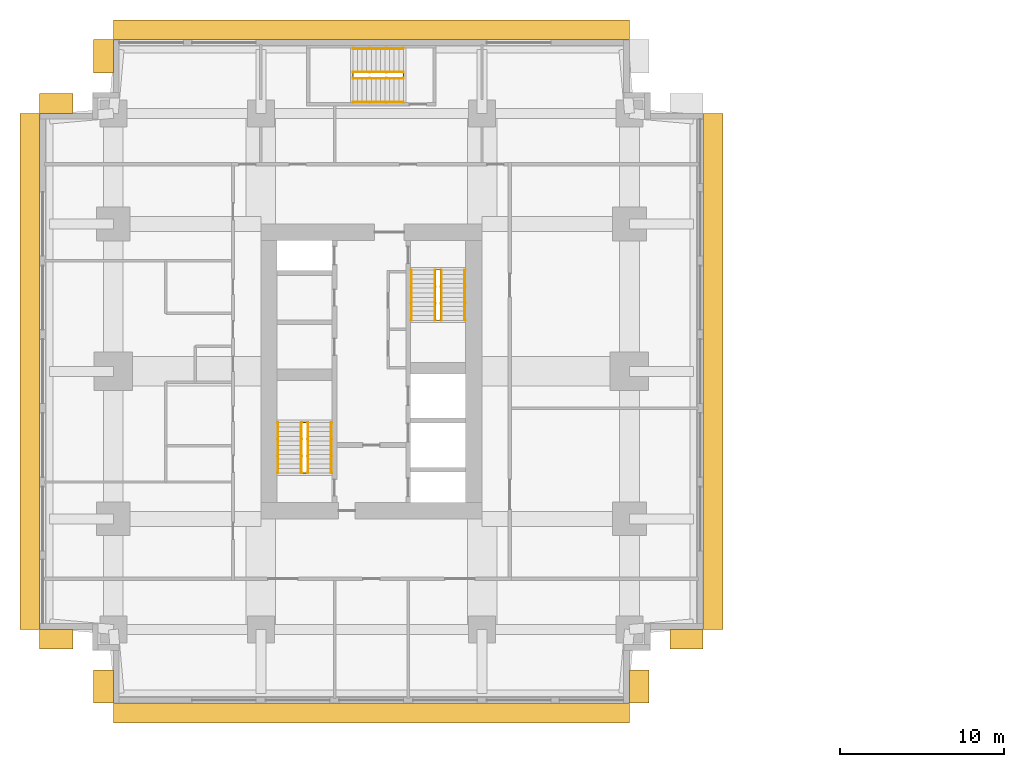
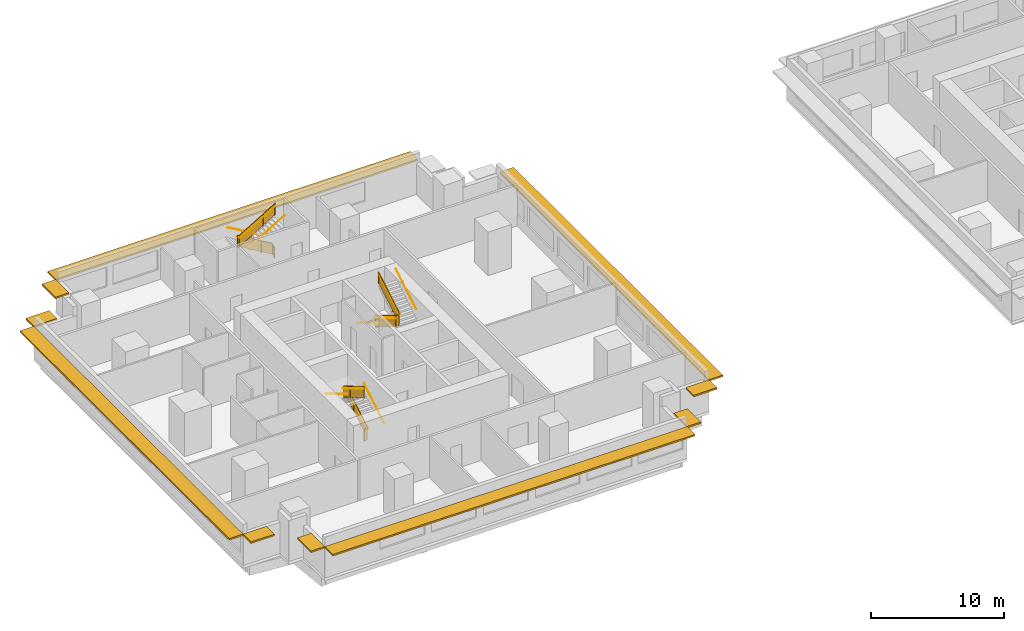
# One storey, part 10 of 11: 15 railings, 10 shading devices.
"""IFC4 building model written with IfcOpenShell, lengths in metres."""

import ifcopenshell
import ifcopenshell.guid

model = None  # the IFC model being written
_history = None  # IfcOwnerHistory: only IFC2X3 demands one
_inside = {}  # id of a spatial element -> (the spatial element, [elements in it])
_under = {}  # id of a project, library or spatial element -> (it, [spatial elements below it])
_declared = {}  # id of a project -> (the project, [libraries it declares])
_typed = {}  # id of a type object -> (the type object, [elements of that type])
_made_of = {}  # id of a material, layer set ... -> (it, [elements and type objects made of it])


def new_model(schema):
    """Start an empty IFC model of exactly this schema.

    Asked for "IFC4X3", IfcOpenShell would pick the latest addendum, in which some entities
    have other attributes; the version numbers below select the first issue.
    IFC2X3 requires an IfcOwnerHistory on every rooted entity: one is made here for all.
    """
    global model, _history
    if schema == "IFC4X3":
        model = ifcopenshell.file(schema_version=(4, 3, 0, 0))
    else:
        model = ifcopenshell.file(schema=schema)
    _inside.clear()
    _under.clear()
    _declared.clear()
    _typed.clear()
    _made_of.clear()
    _history = None
    if model.schema == "IFC2X3":
        org = make("IfcOrganization", Name="unknown")
        user = make(
            "IfcPersonAndOrganization",
            ThePerson=make("IfcPerson", FamilyName="unknown"),
            TheOrganization=org,
        )
        app = make(
            "IfcApplication",
            ApplicationDeveloper=org,
            Version="unknown",
            ApplicationFullName="unknown",
            ApplicationIdentifier="unknown",
        )
        _history = make(
            "IfcOwnerHistory",
            OwningUser=user,
            OwningApplication=app,
            ChangeAction="ADDED",
            CreationDate=0,
        )
    return model


def make(cls, **values):
    """One entity of the class cls with the attributes given. An attribute that is None is left unset."""
    return model.create_entity(
        cls, **{name: value for name, value in values.items() if value is not None}
    )


def rooted(cls, **values):
    """An entity with a GlobalId (a new one), such as an element, a storey or a relation."""
    return make(cls, GlobalId=ifcopenshell.guid.new(), OwnerHistory=_history, **values)


def si_unit(unit_type, name, prefix=None):
    """IfcSIUnit, for example si_unit("LENGTHUNIT", "METRE", prefix="MILLI")."""
    return make("IfcSIUnit", UnitType=unit_type, Prefix=prefix, Name=name)


def assignment(units):
    """IfcUnitAssignment: the units of a project."""
    return None if units is None else make("IfcUnitAssignment", Units=units)


def point(xyz):
    """IfcCartesianPoint."""
    return None if xyz is None else make("IfcCartesianPoint", Coordinates=xyz)


def direction(xyz):
    """IfcDirection."""
    return None if xyz is None else make("IfcDirection", DirectionRatios=xyz)


def frame(location, z_axis=None, x_axis=None):
    """IfcAxis2Placement3D, a coordinate frame: its origin and axes. An axis left out is left unset."""
    return make(
        "IfcAxis2Placement3D",
        Location=point(location),
        Axis=direction(z_axis),
        RefDirection=direction(x_axis),
    )


def frame_2d(location, x_axis=None):
    """IfcAxis2Placement2D, a coordinate frame in the plane: its origin and x axis."""
    return make(
        "IfcAxis2Placement2D", Location=point(location), RefDirection=direction(x_axis)
    )


def origin():
    """The frame at (0, 0, 0) with its axes left unset."""
    return frame((0.0, 0.0, 0.0))


def origin_2d():
    """The frame at (0, 0) in the plane with its x axis left unset."""
    return frame_2d((0.0, 0.0))


def place(relative_to, where):
    """IfcLocalPlacement: puts the frame where relative to a parent placement (None: the world)."""
    return make(
        "IfcLocalPlacement", PlacementRelTo=relative_to, RelativePlacement=where
    )


def context(
    kind, dimensions, precision=None, world=None, true_north=None, identifier=None
):
    """IfcGeometricRepresentationContext, for example the 3D "Model" context."""
    return make(
        "IfcGeometricRepresentationContext",
        ContextIdentifier=identifier,
        ContextType=kind,
        CoordinateSpaceDimension=dimensions,
        Precision=precision,
        WorldCoordinateSystem=world,
        TrueNorth=true_north,
    )


def subcontext(parent, identifier, kind, view, scale=None):
    """IfcGeometricRepresentationSubContext, for example "Body" below "Model"."""
    return make(
        "IfcGeometricRepresentationSubContext",
        ContextIdentifier=identifier,
        ContextType=kind,
        ParentContext=parent,
        TargetScale=scale,
        TargetView=view,
    )


def project(units=None, contexts=None):
    """IfcProject with its units and contexts."""
    return rooted(
        "IfcProject",
        Name="project",
        RepresentationContexts=contexts,
        UnitsInContext=assignment(units),
    )


def spatial(cls, under=None, at=None, **own):
    """A site, building, storey or space (cls), placed at a placement, below another one or the project."""
    s = rooted(cls, ObjectPlacement=at, **own)
    if under is not None:
        _under.setdefault(under.id(), (under, []))[1].append(s)
    return s


def polyline(points):
    """IfcPolyline through the points."""
    return make("IfcPolyline", Points=[point(p) for p in points])


def profile(cls, at=None, kind="AREA", **sizes):
    """A parametric profile (cls). Its sizes go by their IFC names, for example OverallWidth=200.0."""
    return make(cls, ProfileType=kind, Position=at, **sizes)


def rectangle(**sizes):
    """IfcRectangleProfileDef."""
    return profile("IfcRectangleProfileDef", **sizes)


def circle(**sizes):
    """IfcCircleProfileDef."""
    return profile("IfcCircleProfileDef", **sizes)


def outline(outer, holes=None, kind="AREA"):
    """IfcArbitraryClosedProfileDef: a profile drawn as a closed curve; with holes, ...WithVoids."""
    if holes is None:
        return make("IfcArbitraryClosedProfileDef", ProfileType=kind, OuterCurve=outer)
    return make(
        "IfcArbitraryProfileDefWithVoids",
        ProfileType=kind,
        OuterCurve=outer,
        InnerCurves=holes,
    )


def extrude(swept, where, along, depth):
    """IfcExtrudedAreaSolid: the profile swept, set in the frame where, extruded along a direction by depth."""
    return make(
        "IfcExtrudedAreaSolid",
        SweptArea=swept,
        Position=where,
        ExtrudedDirection=direction(along),
        Depth=depth,
    )


def shape(context_of_items, identifier, shape_type, items):
    """IfcShapeRepresentation: the items that make up one representation, for example the "Body"."""
    return make(
        "IfcShapeRepresentation",
        ContextOfItems=context_of_items,
        RepresentationIdentifier=identifier,
        RepresentationType=shape_type,
        Items=items,
    )


def material(Name=None, Category=None):
    """IfcMaterial."""
    return make("IfcMaterial", Name=Name, Category=Category)


def layer(
    of_material, thickness, ventilated=None, Name=None, Category=None, Priority=None
):
    """IfcMaterialLayer: one layer of a wall or slab, of a material (None: an air gap)."""
    return make(
        "IfcMaterialLayer",
        Material=of_material,
        LayerThickness=thickness,
        IsVentilated=ventilated,
        Name=Name,
        Category=Category,
        Priority=Priority,
    )


def layer_set(layers, Name=None):
    """IfcMaterialLayerSet."""
    return make("IfcMaterialLayerSet", MaterialLayers=layers, LayerSetName=Name)


def made_of(thing, what):
    """Note that an element or type object is made of a material, layer set ...; save() writes the relation."""
    if what is not None:
        _made_of.setdefault(what.id(), (what, []))[1].append(thing)
    return thing


def type_object(cls, material=None, **own):
    """A type object (cls), such as IfcWallType, which elements share."""
    return made_of(rooted(cls, **own), material)


def element(
    cls,
    number,
    at=None,
    inside=None,
    cuts=None,
    type_object=None,
    material=None,
    context=None,
    identifier="Body",
    shape_type=None,
    held_by="IfcProductDefinitionShape",
    body=None,
    shapes=None,
    **own,
):
    """One element of the class cls, such as IfcWall. Its Tag is "e" and its number.

    at: its placement. inside: the storey or other place that contains it. cuts: it is an
    opening in that element (IfcRelVoidsElement). A single representation is given by context,
    identifier, shape_type and body (its items); several are given by shapes. held_by: the class
    of the entity that holds the representations. save() writes the other relations.
    """
    e = rooted(cls, Tag="e%d" % number, ObjectPlacement=at, **own)
    if body is not None:
        shapes = [shape(context, identifier, shape_type, body)]
    if shapes is not None:
        e.Representation = make(held_by, Representations=shapes)
    if inside is not None:
        _inside.setdefault(inside.id(), (inside, []))[1].append(e)
    if cuts is not None:
        rooted(
            "IfcRelVoidsElement", RelatingBuildingElement=cuts, RelatedOpeningElement=e
        )
    if type_object is not None:
        _typed.setdefault(type_object.id(), (type_object, []))[1].append(e)
    return made_of(e, material)


def aggregate(whole, parts):
    """IfcRelAggregates: a whole, such as a stair, and the parts it consists of."""
    return rooted("IfcRelAggregates", RelatingObject=whole, RelatedObjects=parts)


def save(model, path):
    """Write the relations noted so far, then the file.

    IfcRelAggregates (storeys below a building ...), IfcRelContainedInSpatialStructure (elements
    in a storey), IfcRelDefinesByType, IfcRelAssociatesMaterial and IfcRelDeclares: one each for
    every whole, place, type object, material and project.
    """
    for whole, parts in _under.values():
        aggregate(whole, parts)
    for where, things in _inside.values():
        rooted(
            "IfcRelContainedInSpatialStructure",
            RelatedElements=things,
            RelatingStructure=where,
        )
    for kind, things in _typed.values():
        rooted("IfcRelDefinesByType", RelatedObjects=things, RelatingType=kind)
    for what, things in _made_of.values():
        rooted("IfcRelAssociatesMaterial", RelatedObjects=things, RelatingMaterial=what)
    for by, libraries in _declared.values():
        rooted("IfcRelDeclares", RelatingContext=by, RelatedDefinitions=libraries)
    model.write(path)


model = new_model("IFC4")

# Units and contexts
model_context = context("Model", 3, precision=1e-05, world=origin(), true_north=direction((0.0, 1.0)))
body_context = subcontext(model_context, "Body", "Model", "MODEL_VIEW")
ifc_project = project(units=[si_unit("LENGTHUNIT", "METRE"), si_unit("AREAUNIT", "SQUARE_METRE"), si_unit("VOLUMEUNIT", "CUBIC_METRE"), si_unit("PLANEANGLEUNIT", "RADIAN"), si_unit("MASSUNIT", "GRAM", prefix="KILO")], contexts=[model_context])

# Site, building, storey
site_placement = place(None, origin())
site = spatial("IfcSite", under=ifc_project, at=site_placement, CompositionType="ELEMENT")
building_placement = place(site_placement, origin())
building = spatial("IfcBuilding", under=site, at=building_placement, Name="Namib Vertical Campus", CompositionType="ELEMENT")
storey_placement = place(building_placement, frame((0.0, 0.0, 197.0)))
storey = spatial("IfcBuildingStorey", under=building, at=storey_placement, Name="L46", CompositionType="ELEMENT", Elevation=197.0)

# Railings
ifc_material_1 = material(Name="Steel handrail", Category="steel")
railing_type_1 = type_object("IfcRailingType", Name="Handrail 900", PredefinedType="HANDRAIL", material=ifc_material_1)
railing_1_placement = place(storey_placement, frame((17.800048828125, 14.050048828125, 0.166748046875)))
element("IfcRailing", 1, at=railing_1_placement, inside=storey, type_object=railing_type_1, Name="Handrail HR1 A-S1 L46 1", PredefinedType="HANDRAIL", context=body_context, shape_type="SweptSolid", body=[
    extrude(circle(Radius=0.02392578125, at=origin_2d()), frame((0.0, 0.0, 0.8759765625), z_axis=(0.0, 0.859290745958, 0.51148745235), x_axis=(-1.0, 0.0, 0.0)), (0.0, 0.0, 1.0), 3.584228515625),
    extrude(circle(Radius=0.008056640625, at=origin_2d()), frame((0.0, 0.0, 0.8759765625), z_axis=(1.0, 0.0, 0.0), x_axis=(0.0, 0.0, 1.0)), (0.0, 0.0, 1.0), 0.050048828125),
    extrude(circle(Radius=0.008056640625, at=origin_2d()), frame((0.0, 1.026611328125, 1.48681640625), z_axis=(1.0, 0.0, 0.0), x_axis=(0.0, 0.0, 1.0)), (0.0, 0.0, 1.0), 0.050048828125),
    extrude(circle(Radius=0.008056640625, at=origin_2d()), frame((0.0, 2.05322265625, 2.09814453125), z_axis=(1.0, 0.0, 0.0), x_axis=(0.0, 0.0, 1.0)), (0.0, 0.0, 1.0), 0.050048828125),
    extrude(circle(Radius=0.008056640625, at=origin_2d()), frame((0.0, 3.079833984375, 2.708984375), z_axis=(1.0, 0.0, 0.0), x_axis=(0.0, 0.0, 1.0)), (0.0, 0.0, 1.0), 0.050048828125),
])
railing_2_placement = place(storey_placement, frame((14.550048828125, 17.1298828125, 2.166748046875)))
element("IfcRailing", 2, at=railing_2_placement, inside=storey, type_object=railing_type_1, Name="Handrail HR1 A-S1 L46 2", PredefinedType="HANDRAIL", context=body_context, shape_type="SweptSolid", body=[
    extrude(circle(Radius=0.02392578125, at=origin_2d()), frame((0.0, 0.0, 0.8759765625), z_axis=(0.0, -0.859290745958, 0.51148745235), x_axis=(1.0, 0.0, 0.0)), (0.0, 0.0, 1.0), 3.584228515625),
    extrude(circle(Radius=0.008056640625, at=origin_2d()), frame((0.0, 0.0, 0.8759765625), z_axis=(-1.0, 0.0, 0.0), x_axis=(0.0, 0.0, 1.0)), (0.0, 0.0, 1.0), 0.050048828125),
    extrude(circle(Radius=0.008056640625, at=origin_2d()), frame((0.0, -1.026611328125, 1.48681640625), z_axis=(-1.0, 0.0, 0.0), x_axis=(0.0, 0.0, 1.0)), (0.0, 0.0, 1.0), 0.050048828125),
    extrude(circle(Radius=0.008056640625, at=origin_2d()), frame((0.0, -2.05322265625, 2.09814453125), z_axis=(-1.0, 0.0, 0.0), x_axis=(0.0, 0.0, 1.0)), (0.0, 0.0, 1.0), 0.050048828125),
    extrude(circle(Radius=0.008056640625, at=origin_2d()), frame((0.0, -3.079833984375, 2.708984375), z_axis=(-1.0, 0.0, 0.0), x_axis=(0.0, 0.0, 1.0)), (0.0, 0.0, 1.0), 0.050048828125),
])
railing_3_placement = place(storey_placement, frame((16.375, 14.050048828125, 0.166748046875)))
element("IfcRailing", 3, at=railing_3_placement, inside=storey, type_object=railing_type_1, Name="Handrail HR1 A-S1 L46 1 at the well", PredefinedType="HANDRAIL", context=body_context, shape_type="SweptSolid", body=[
    extrude(circle(Radius=0.02392578125, at=origin_2d()), frame((0.0, 0.0, 0.8759765625), z_axis=(0.0, 0.859290745958, 0.51148745235), x_axis=(-1.0, 0.0, 0.0)), (0.0, 0.0, 1.0), 3.584228515625),
    extrude(circle(Radius=0.008056640625, at=origin_2d()), frame((0.0, 0.0, 0.8759765625), z_axis=(-1.0, 0.0, 0.0), x_axis=(0.0, 0.0, 1.0)), (0.0, 0.0, 1.0), 0.0400390625),
    extrude(circle(Radius=0.008056640625, at=origin_2d()), frame((0.0, 1.026611328125, 1.48681640625), z_axis=(-1.0, 0.0, 0.0), x_axis=(0.0, 0.0, 1.0)), (0.0, 0.0, 1.0), 0.0400390625),
    extrude(circle(Radius=0.008056640625, at=origin_2d()), frame((0.0, 2.05322265625, 2.09814453125), z_axis=(-1.0, 0.0, 0.0), x_axis=(0.0, 0.0, 1.0)), (0.0, 0.0, 1.0), 0.0400390625),
    extrude(circle(Radius=0.008056640625, at=origin_2d()), frame((0.0, 3.079833984375, 2.708984375), z_axis=(-1.0, 0.0, 0.0), x_axis=(0.0, 0.0, 1.0)), (0.0, 0.0, 1.0), 0.0400390625),
])
railing_4_placement = place(storey_placement, frame((15.97509765625, 17.1298828125, 2.166748046875)))
element("IfcRailing", 4, at=railing_4_placement, inside=storey, type_object=railing_type_1, Name="Handrail HR1 A-S1 L46 2 at the well", PredefinedType="HANDRAIL", context=body_context, shape_type="SweptSolid", body=[
    extrude(circle(Radius=0.02392578125, at=origin_2d()), frame((0.0, 0.0, 0.8759765625), z_axis=(0.0, -0.859290745958, 0.51148745235), x_axis=(1.0, 0.0, 0.0)), (0.0, 0.0, 1.0), 3.584228515625),
    extrude(circle(Radius=0.008056640625, at=origin_2d()), frame((0.0, 0.0, 0.8759765625), z_axis=(1.0, 0.0, 0.0), x_axis=(0.0, 0.0, 1.0)), (0.0, 0.0, 1.0), 0.0400390625),
    extrude(circle(Radius=0.008056640625, at=origin_2d()), frame((0.0, -1.026611328125, 1.48681640625), z_axis=(1.0, 0.0, 0.0), x_axis=(0.0, 0.0, 1.0)), (0.0, 0.0, 1.0), 0.0400390625),
    extrude(circle(Radius=0.008056640625, at=origin_2d()), frame((0.0, -2.05322265625, 2.09814453125), z_axis=(1.0, 0.0, 0.0), x_axis=(0.0, 0.0, 1.0)), (0.0, 0.0, 1.0), 0.0400390625),
    extrude(circle(Radius=0.008056640625, at=origin_2d()), frame((0.0, -3.079833984375, 2.708984375), z_axis=(1.0, 0.0, 0.0), x_axis=(0.0, 0.0, 1.0)), (0.0, 0.0, 1.0), 0.0400390625),
])
railing_5_placement = place(storey_placement, frame((22.699951171875, 26.449951171875, 0.166748046875)))
element("IfcRailing", 5, at=railing_5_placement, inside=storey, type_object=railing_type_1, Name="Handrail HR1 A-S2 L46 1", PredefinedType="HANDRAIL", context=body_context, shape_type="SweptSolid", body=[
    extrude(circle(Radius=0.02392578125, at=origin_2d()), frame((0.0, 0.0, 0.8759765625), z_axis=(0.0, -0.859290745958, 0.51148745235), x_axis=(1.0, 0.0, 0.0)), (0.0, 0.0, 1.0), 3.584228515625),
    extrude(circle(Radius=0.008056640625, at=origin_2d()), frame((0.0, 0.0, 0.8759765625), z_axis=(-1.0, 0.0, 0.0), x_axis=(0.0, 0.0, 1.0)), (0.0, 0.0, 1.0), 0.050048828125),
    extrude(circle(Radius=0.008056640625, at=origin_2d()), frame((0.0, -1.026611328125, 1.48681640625), z_axis=(-1.0, 0.0, 0.0), x_axis=(0.0, 0.0, 1.0)), (0.0, 0.0, 1.0), 0.050048828125),
    extrude(circle(Radius=0.008056640625, at=origin_2d()), frame((0.0, -2.05322265625, 2.09814453125), z_axis=(-1.0, 0.0, 0.0), x_axis=(0.0, 0.0, 1.0)), (0.0, 0.0, 1.0), 0.050048828125),
    extrude(circle(Radius=0.008056640625, at=origin_2d()), frame((0.0, -3.079833984375, 2.708984375), z_axis=(-1.0, 0.0, 0.0), x_axis=(0.0, 0.0, 1.0)), (0.0, 0.0, 1.0), 0.050048828125),
])
railing_6_placement = place(storey_placement, frame((25.949951171875, 23.3701171875, 2.166748046875)))
element("IfcRailing", 6, at=railing_6_placement, inside=storey, type_object=railing_type_1, Name="Handrail HR1 A-S2 L46 2", PredefinedType="HANDRAIL", context=body_context, shape_type="SweptSolid", body=[
    extrude(circle(Radius=0.02392578125, at=origin_2d()), frame((0.0, 0.0, 0.8759765625), z_axis=(0.0, 0.859290745958, 0.51148745235), x_axis=(-1.0, 0.0, 0.0)), (0.0, 0.0, 1.0), 3.584228515625),
    extrude(circle(Radius=0.008056640625, at=origin_2d()), frame((0.0, 0.0, 0.8759765625), z_axis=(1.0, 0.0, 0.0), x_axis=(0.0, 0.0, 1.0)), (0.0, 0.0, 1.0), 0.050048828125),
    extrude(circle(Radius=0.008056640625, at=origin_2d()), frame((0.0, 1.026611328125, 1.48681640625), z_axis=(1.0, 0.0, 0.0), x_axis=(0.0, 0.0, 1.0)), (0.0, 0.0, 1.0), 0.050048828125),
    extrude(circle(Radius=0.008056640625, at=origin_2d()), frame((0.0, 2.05322265625, 2.09814453125), z_axis=(1.0, 0.0, 0.0), x_axis=(0.0, 0.0, 1.0)), (0.0, 0.0, 1.0), 0.050048828125),
    extrude(circle(Radius=0.008056640625, at=origin_2d()), frame((0.0, 3.079833984375, 2.708984375), z_axis=(1.0, 0.0, 0.0), x_axis=(0.0, 0.0, 1.0)), (0.0, 0.0, 1.0), 0.050048828125),
])
railing_7_placement = place(storey_placement, frame((24.125, 26.449951171875, 0.166748046875)))
element("IfcRailing", 7, at=railing_7_placement, inside=storey, type_object=railing_type_1, Name="Handrail HR1 A-S2 L46 1 at the well", PredefinedType="HANDRAIL", context=body_context, shape_type="SweptSolid", body=[
    extrude(circle(Radius=0.02392578125, at=origin_2d()), frame((0.0, 0.0, 0.8759765625), z_axis=(0.0, -0.859290745958, 0.51148745235), x_axis=(1.0, 0.0, 0.0)), (0.0, 0.0, 1.0), 3.584228515625),
    extrude(circle(Radius=0.008056640625, at=origin_2d()), frame((0.0, 0.0, 0.8759765625), z_axis=(1.0, 0.0, 0.0), x_axis=(0.0, 0.0, 1.0)), (0.0, 0.0, 1.0), 0.0400390625),
    extrude(circle(Radius=0.008056640625, at=origin_2d()), frame((0.0, -1.026611328125, 1.48681640625), z_axis=(1.0, 0.0, 0.0), x_axis=(0.0, 0.0, 1.0)), (0.0, 0.0, 1.0), 0.0400390625),
    extrude(circle(Radius=0.008056640625, at=origin_2d()), frame((0.0, -2.05322265625, 2.09814453125), z_axis=(1.0, 0.0, 0.0), x_axis=(0.0, 0.0, 1.0)), (0.0, 0.0, 1.0), 0.0400390625),
    extrude(circle(Radius=0.008056640625, at=origin_2d()), frame((0.0, -3.079833984375, 2.708984375), z_axis=(1.0, 0.0, 0.0), x_axis=(0.0, 0.0, 1.0)), (0.0, 0.0, 1.0), 0.0400390625),
])
railing_8_placement = place(storey_placement, frame((24.52490234375, 23.3701171875, 2.166748046875)))
element("IfcRailing", 8, at=railing_8_placement, inside=storey, type_object=railing_type_1, Name="Handrail HR1 A-S2 L46 2 at the well", PredefinedType="HANDRAIL", context=body_context, shape_type="SweptSolid", body=[
    extrude(circle(Radius=0.02392578125, at=origin_2d()), frame((0.0, 0.0, 0.8759765625), z_axis=(0.0, 0.859290745958, 0.51148745235), x_axis=(-1.0, 0.0, 0.0)), (0.0, 0.0, 1.0), 3.584228515625),
    extrude(circle(Radius=0.008056640625, at=origin_2d()), frame((0.0, 0.0, 0.8759765625), z_axis=(-1.0, 0.0, 0.0), x_axis=(0.0, 0.0, 1.0)), (0.0, 0.0, 1.0), 0.0400390625),
    extrude(circle(Radius=0.008056640625, at=origin_2d()), frame((0.0, 1.026611328125, 1.48681640625), z_axis=(-1.0, 0.0, 0.0), x_axis=(0.0, 0.0, 1.0)), (0.0, 0.0, 1.0), 0.0400390625),
    extrude(circle(Radius=0.008056640625, at=origin_2d()), frame((0.0, 2.05322265625, 2.09814453125), z_axis=(-1.0, 0.0, 0.0), x_axis=(0.0, 0.0, 1.0)), (0.0, 0.0, 1.0), 0.0400390625),
    extrude(circle(Radius=0.008056640625, at=origin_2d()), frame((0.0, 3.079833984375, 2.708984375), z_axis=(-1.0, 0.0, 0.0), x_axis=(0.0, 0.0, 1.0)), (0.0, 0.0, 1.0), 0.0400390625),
])
railing_9_placement = place(storey_placement, frame((22.199951171875, 39.949951171875, 0.166748046875)))
element("IfcRailing", 9, at=railing_9_placement, inside=storey, type_object=railing_type_1, Name="Handrail HR1 A-S3 L46 1", PredefinedType="HANDRAIL", context=body_context, shape_type="SweptSolid", body=[
    extrude(circle(Radius=0.02392578125, at=origin_2d()), frame((0.0, 0.0, 0.8759765625), z_axis=(-0.859290745958, 0.0, 0.51148745235), x_axis=(0.0, -1.0, 0.0)), (0.0, 0.0, 1.0), 3.584228515625),
    extrude(circle(Radius=0.008056640625, at=origin_2d()), frame((0.0, 0.0, 0.8759765625), z_axis=(0.0, 1.0, 0.0), x_axis=(0.0, 0.0, 1.0)), (0.0, 0.0, 1.0), 0.050048828125),
    extrude(circle(Radius=0.008056640625, at=origin_2d()), frame((-1.026611328125, 0.0, 1.48681640625), z_axis=(0.0, 1.0, 0.0), x_axis=(0.0, 0.0, 1.0)), (0.0, 0.0, 1.0), 0.050048828125),
    extrude(circle(Radius=0.008056640625, at=origin_2d()), frame((-2.05322265625, 0.0, 2.09814453125), z_axis=(0.0, 1.0, 0.0), x_axis=(0.0, 0.0, 1.0)), (0.0, 0.0, 1.0), 0.050048828125),
    extrude(circle(Radius=0.008056640625, at=origin_2d()), frame((-3.079833984375, 0.0, 2.708984375), z_axis=(0.0, 1.0, 0.0), x_axis=(0.0, 0.0, 1.0)), (0.0, 0.0, 1.0), 0.050048828125),
])
railing_10_placement = place(storey_placement, frame((19.1201171875, 36.699951171875, 2.166748046875)))
element("IfcRailing", 10, at=railing_10_placement, inside=storey, type_object=railing_type_1, Name="Handrail HR1 A-S3 L46 2", PredefinedType="HANDRAIL", context=body_context, shape_type="SweptSolid", body=[
    extrude(circle(Radius=0.02392578125, at=origin_2d()), frame((0.0, 0.0, 0.8759765625), z_axis=(0.859290745958, 0.0, 0.51148745235), x_axis=(0.0, 1.0, 0.0)), (0.0, 0.0, 1.0), 3.584228515625),
    extrude(circle(Radius=0.008056640625, at=origin_2d()), frame((0.0, 0.0, 0.8759765625), z_axis=(0.0, -1.0, 0.0), x_axis=(0.0, 0.0, 1.0)), (0.0, 0.0, 1.0), 0.050048828125),
    extrude(circle(Radius=0.008056640625, at=origin_2d()), frame((1.026611328125, 0.0, 1.48681640625), z_axis=(0.0, -1.0, 0.0), x_axis=(0.0, 0.0, 1.0)), (0.0, 0.0, 1.0), 0.050048828125),
    extrude(circle(Radius=0.008056640625, at=origin_2d()), frame((2.05322265625, 0.0, 2.09814453125), z_axis=(0.0, -1.0, 0.0), x_axis=(0.0, 0.0, 1.0)), (0.0, 0.0, 1.0), 0.050048828125),
    extrude(circle(Radius=0.008056640625, at=origin_2d()), frame((3.079833984375, 0.0, 2.708984375), z_axis=(0.0, -1.0, 0.0), x_axis=(0.0, 0.0, 1.0)), (0.0, 0.0, 1.0), 0.050048828125),
])
railing_11_placement = place(storey_placement, frame((22.199951171875, 38.52490234375, 0.166748046875)))
element("IfcRailing", 11, at=railing_11_placement, inside=storey, type_object=railing_type_1, Name="Handrail HR1 A-S3 L46 1 at the well", PredefinedType="HANDRAIL", context=body_context, shape_type="SweptSolid", body=[
    extrude(circle(Radius=0.02392578125, at=origin_2d()), frame((0.0, 0.0, 0.8759765625), z_axis=(-0.859290745958, 0.0, 0.51148745235), x_axis=(0.0, -1.0, 0.0)), (0.0, 0.0, 1.0), 3.584228515625),
    extrude(circle(Radius=0.008056640625, at=origin_2d()), frame((0.0, 0.0, 0.8759765625), z_axis=(0.0, -1.0, 0.0), x_axis=(0.0, 0.0, 1.0)), (0.0, 0.0, 1.0), 0.0400390625),
    extrude(circle(Radius=0.008056640625, at=origin_2d()), frame((-1.026611328125, 0.0, 1.48681640625), z_axis=(0.0, -1.0, 0.0), x_axis=(0.0, 0.0, 1.0)), (0.0, 0.0, 1.0), 0.0400390625),
    extrude(circle(Radius=0.008056640625, at=origin_2d()), frame((-2.05322265625, 0.0, 2.09814453125), z_axis=(0.0, -1.0, 0.0), x_axis=(0.0, 0.0, 1.0)), (0.0, 0.0, 1.0), 0.0400390625),
    extrude(circle(Radius=0.008056640625, at=origin_2d()), frame((-3.079833984375, 0.0, 2.708984375), z_axis=(0.0, -1.0, 0.0), x_axis=(0.0, 0.0, 1.0)), (0.0, 0.0, 1.0), 0.0400390625),
])
railing_12_placement = place(storey_placement, frame((19.1201171875, 38.125, 2.166748046875)))
element("IfcRailing", 12, at=railing_12_placement, inside=storey, type_object=railing_type_1, Name="Handrail HR1 A-S3 L46 2 at the well", PredefinedType="HANDRAIL", context=body_context, shape_type="SweptSolid", body=[
    extrude(circle(Radius=0.02392578125, at=origin_2d()), frame((0.0, 0.0, 0.8759765625), z_axis=(0.859290745958, 0.0, 0.51148745235), x_axis=(0.0, 1.0, 0.0)), (0.0, 0.0, 1.0), 3.584228515625),
    extrude(circle(Radius=0.008056640625, at=origin_2d()), frame((0.0, 0.0, 0.8759765625), z_axis=(0.0, 1.0, 0.0), x_axis=(0.0, 0.0, 1.0)), (0.0, 0.0, 1.0), 0.0400390625),
    extrude(circle(Radius=0.008056640625, at=origin_2d()), frame((1.026611328125, 0.0, 1.48681640625), z_axis=(0.0, 1.0, 0.0), x_axis=(0.0, 0.0, 1.0)), (0.0, 0.0, 1.0), 0.0400390625),
    extrude(circle(Radius=0.008056640625, at=origin_2d()), frame((2.05322265625, 0.0, 2.09814453125), z_axis=(0.0, 1.0, 0.0), x_axis=(0.0, 0.0, 1.0)), (0.0, 0.0, 1.0), 0.0400390625),
    extrude(circle(Radius=0.008056640625, at=origin_2d()), frame((3.079833984375, 0.0, 2.708984375), z_axis=(0.0, 1.0, 0.0), x_axis=(0.0, 0.0, 1.0)), (0.0, 0.0, 1.0), 0.0400390625),
])
ifc_material_2 = material(Name="Steel balustrade", Category="steel")
railing_type_2 = type_object("IfcRailingType", Name="Stair guard 1100", PredefinedType="GUARDRAIL", material=ifc_material_2)
railing_13_placement = place(storey_placement, frame((16.02490234375, 14.050048828125, 0.0)))
element("IfcRailing", 13, at=railing_13_placement, inside=storey, type_object=railing_type_2, Name="Stair guard GR1 A-S1 L46", PredefinedType="GUARDRAIL", context=body_context, shape_type="SweptSolid", body=[
    extrude(circle(Radius=0.02392578125, at=origin_2d()), frame((0.0, 0.0, 1.076171875), z_axis=(1.0, 0.0, 0.0), x_axis=(0.0, 1.0, 0.0)), (0.0, 0.0, 1.0), 0.300048828125),
    extrude(outline(polyline([(0.02099609375, 0.050048828125), (0.279052734375, 0.050048828125), (0.279052734375, 1.052001953125), (0.02099609375, 1.052001953125), (0.02099609375, 0.050048828125)])), frame((0.0, 0.010009765625, 0.0), z_axis=(0.0, -1.0, 0.0), x_axis=(1.0, 0.0, 0.0)), (0.0, 0.0, 1.0), 0.02001953125),
    extrude(circle(Radius=0.02392578125, at=origin_2d()), frame((0.300048828125, 0.0, 1.076171875), z_axis=(0.0, 0.0, 1.0), x_axis=(1.0, 0.0, 0.0)), (0.0, 0.0, 1.0), 0.166748046875),
    extrude(circle(Radius=0.02392578125, at=origin_2d()), frame((0.300048828125, 0.0, 1.24267578125), z_axis=(0.0, 0.859290745958, 0.51148745235), x_axis=(-1.0, 0.0, 0.0)), (0.0, 0.0, 1.0), 3.584228515625),
    extrude(outline(polyline([(0.02099609375, 0.0625), (3.058837890625, 1.870849609375), (3.058837890625, 2.872802734375), (0.02099609375, 1.064453125), (0.02099609375, 0.0625)])), frame((0.2900390625, 0.0, 0.166748046875), z_axis=(1.0, 0.0, 0.0), x_axis=(0.0, 1.0, 0.0)), (0.0, 0.0, 1.0), 0.02001953125),
    extrude(circle(Radius=0.02392578125, at=origin_2d()), frame((0.300048828125, 3.079833984375, 3.076171875), z_axis=(-1.0, 0.0, 0.0), x_axis=(0.0, -1.0, 0.0)), (0.0, 0.0, 1.0), 0.300048828125),
    extrude(outline(polyline([(0.02099609375, 0.050048828125), (0.279052734375, 0.050048828125), (0.279052734375, 1.052001953125), (0.02099609375, 1.052001953125), (0.02099609375, 0.050048828125)])), frame((0.300048828125, 3.06982421875, 2.0), z_axis=(0.0, 1.0, 0.0), x_axis=(-1.0, 0.0, 0.0)), (0.0, 0.0, 1.0), 0.02001953125),
    extrude(circle(Radius=0.02392578125, at=origin_2d()), frame((0.0, 3.079833984375, 3.076171875), z_axis=(0.0, 0.0, 1.0), x_axis=(1.0, 0.0, 0.0)), (0.0, 0.0, 1.0), 0.166748046875),
    extrude(circle(Radius=0.02392578125, at=origin_2d()), frame((0.0, 3.079833984375, 3.24267578125), z_axis=(0.0, -0.859290745958, 0.51148745235), x_axis=(1.0, 0.0, 0.0)), (0.0, 0.0, 1.0), 3.584228515625),
    extrude(outline(polyline([(0.02099609375, 0.0625), (3.058837890625, 1.870849609375), (3.058837890625, 2.872802734375), (0.02099609375, 1.064453125), (0.02099609375, 0.0625)])), frame((0.010009765625, 3.079833984375, 2.166748046875), z_axis=(-1.0, 0.0, 0.0), x_axis=(0.0, -1.0, 0.0)), (0.0, 0.0, 1.0), 0.02001953125),
    extrude(circle(Radius=0.02392578125, at=origin_2d()), frame((0.0, 0.0, 5.076171875), z_axis=(0.0, -1.0, 0.0), x_axis=(1.0, 0.0, 0.0)), (0.0, 0.0, 1.0), 0.050048828125),
    extrude(outline(polyline([(0.02099609375, 0.050048828125), (0.029052734375, 0.050048828125), (0.029052734375, 1.052001953125), (0.02099609375, 1.052001953125), (0.02099609375, 0.050048828125)])), frame((0.010009765625, 0.0, 4.0), z_axis=(-1.0, 0.0, 0.0), x_axis=(0.0, -1.0, 0.0)), (0.0, 0.0, 1.0), 0.02001953125),
    extrude(circle(Radius=0.02099609375, at=origin_2d()), origin(), (0.0, 0.0, 1.0), 1.052001953125),
    extrude(circle(Radius=0.02099609375, at=origin_2d()), frame((0.300048828125, 0.0, 0.166748046875)), (0.0, 0.0, 1.0), 1.052001953125),
    extrude(circle(Radius=0.02099609375, at=origin_2d()), frame((0.300048828125, 1.026611328125, 0.666748046875)), (0.0, 0.0, 1.0), 1.1630859375),
    extrude(circle(Radius=0.02099609375, at=origin_2d()), frame((0.300048828125, 2.05322265625, 1.33349609375)), (0.0, 0.0, 1.0), 1.107421875),
    extrude(circle(Radius=0.02099609375, at=origin_2d()), frame((0.300048828125, 3.079833984375, 2.0)), (0.0, 0.0, 1.0), 1.052001953125),
    extrude(circle(Radius=0.02099609375, at=origin_2d()), frame((0.0, 3.079833984375, 2.166748046875)), (0.0, 0.0, 1.0), 1.052001953125),
    extrude(circle(Radius=0.02099609375, at=origin_2d()), frame((0.0, 2.05322265625, 2.666748046875)), (0.0, 0.0, 1.0), 1.1630859375),
    extrude(circle(Radius=0.02099609375, at=origin_2d()), frame((0.0, 1.026611328125, 3.33349609375)), (0.0, 0.0, 1.0), 1.107421875),
    extrude(circle(Radius=0.02099609375, at=origin_2d()), frame((0.0, 0.0, 4.0)), (0.0, 0.0, 1.0), 1.052001953125),
    extrude(circle(Radius=0.02099609375, at=origin_2d()), frame((0.0, -0.050048828125, 4.0)), (0.0, 0.0, 1.0), 1.052001953125),
])
railing_14_placement = place(storey_placement, frame((24.47509765625, 26.449951171875, 0.0)))
element("IfcRailing", 14, at=railing_14_placement, inside=storey, type_object=railing_type_2, Name="Stair guard GR1 A-S2 L46", PredefinedType="GUARDRAIL", context=body_context, shape_type="SweptSolid", body=[
    extrude(circle(Radius=0.02392578125, at=origin_2d()), frame((0.0, 0.0, 1.076171875), z_axis=(-1.0, 0.0, 0.0), x_axis=(0.0, -1.0, 0.0)), (0.0, 0.0, 1.0), 0.300048828125),
    extrude(outline(polyline([(0.02099609375, 0.050048828125), (0.279052734375, 0.050048828125), (0.279052734375, 1.052001953125), (0.02099609375, 1.052001953125), (0.02099609375, 0.050048828125)])), frame((0.0, -0.010009765625, 0.0), z_axis=(0.0, 1.0, 0.0), x_axis=(-1.0, 0.0, 0.0)), (0.0, 0.0, 1.0), 0.02001953125),
    extrude(circle(Radius=0.02392578125, at=origin_2d()), frame((-0.300048828125, 0.0, 1.076171875), z_axis=(0.0, 0.0, 1.0), x_axis=(1.0, 0.0, 0.0)), (0.0, 0.0, 1.0), 0.166748046875),
    extrude(circle(Radius=0.02392578125, at=origin_2d()), frame((-0.300048828125, 0.0, 1.24267578125), z_axis=(0.0, -0.859290745958, 0.51148745235), x_axis=(1.0, 0.0, 0.0)), (0.0, 0.0, 1.0), 3.584228515625),
    extrude(outline(polyline([(0.02099609375, 0.0625), (3.058837890625, 1.870849609375), (3.058837890625, 2.872802734375), (0.02099609375, 1.064453125), (0.02099609375, 0.0625)])), frame((-0.2900390625, 0.0, 0.166748046875), z_axis=(-1.0, 0.0, 0.0), x_axis=(0.0, -1.0, 0.0)), (0.0, 0.0, 1.0), 0.02001953125),
    extrude(circle(Radius=0.02392578125, at=origin_2d()), frame((-0.300048828125, -3.079833984375, 3.076171875), z_axis=(1.0, 0.0, 0.0), x_axis=(0.0, 1.0, 0.0)), (0.0, 0.0, 1.0), 0.300048828125),
    extrude(outline(polyline([(0.02099609375, 0.050048828125), (0.279052734375, 0.050048828125), (0.279052734375, 1.052001953125), (0.02099609375, 1.052001953125), (0.02099609375, 0.050048828125)])), frame((-0.300048828125, -3.06982421875, 2.0), z_axis=(0.0, -1.0, 0.0), x_axis=(1.0, 0.0, 0.0)), (0.0, 0.0, 1.0), 0.02001953125),
    extrude(circle(Radius=0.02392578125, at=origin_2d()), frame((0.0, -3.079833984375, 3.076171875), z_axis=(0.0, 0.0, 1.0), x_axis=(1.0, 0.0, 0.0)), (0.0, 0.0, 1.0), 0.166748046875),
    extrude(circle(Radius=0.02392578125, at=origin_2d()), frame((0.0, -3.079833984375, 3.24267578125), z_axis=(0.0, 0.859290745958, 0.51148745235), x_axis=(-1.0, 0.0, 0.0)), (0.0, 0.0, 1.0), 3.584228515625),
    extrude(outline(polyline([(0.02099609375, 0.0625), (3.058837890625, 1.870849609375), (3.058837890625, 2.872802734375), (0.02099609375, 1.064453125), (0.02099609375, 0.0625)])), frame((-0.010009765625, -3.079833984375, 2.166748046875), z_axis=(1.0, 0.0, 0.0), x_axis=(0.0, 1.0, 0.0)), (0.0, 0.0, 1.0), 0.02001953125),
    extrude(circle(Radius=0.02392578125, at=origin_2d()), frame((0.0, 0.0, 5.076171875), z_axis=(0.0, 1.0, 0.0), x_axis=(-1.0, 0.0, 0.0)), (0.0, 0.0, 1.0), 0.050048828125),
    extrude(outline(polyline([(0.02099609375, 0.050048828125), (0.029052734375, 0.050048828125), (0.029052734375, 1.052001953125), (0.02099609375, 1.052001953125), (0.02099609375, 0.050048828125)])), frame((-0.010009765625, 0.0, 4.0), z_axis=(1.0, 0.0, 0.0), x_axis=(0.0, 1.0, 0.0)), (0.0, 0.0, 1.0), 0.02001953125),
    extrude(circle(Radius=0.02099609375, at=origin_2d()), origin(), (0.0, 0.0, 1.0), 1.052001953125),
    extrude(circle(Radius=0.02099609375, at=origin_2d()), frame((-0.300048828125, 0.0, 0.166748046875)), (0.0, 0.0, 1.0), 1.052001953125),
    extrude(circle(Radius=0.02099609375, at=origin_2d()), frame((-0.300048828125, -1.026611328125, 0.666748046875)), (0.0, 0.0, 1.0), 1.1630859375),
    extrude(circle(Radius=0.02099609375, at=origin_2d()), frame((-0.300048828125, -2.05322265625, 1.33349609375)), (0.0, 0.0, 1.0), 1.107421875),
    extrude(circle(Radius=0.02099609375, at=origin_2d()), frame((-0.300048828125, -3.079833984375, 2.0)), (0.0, 0.0, 1.0), 1.052001953125),
    extrude(circle(Radius=0.02099609375, at=origin_2d()), frame((0.0, -3.079833984375, 2.166748046875)), (0.0, 0.0, 1.0), 1.052001953125),
    extrude(circle(Radius=0.02099609375, at=origin_2d()), frame((0.0, -2.05322265625, 2.666748046875)), (0.0, 0.0, 1.0), 1.1630859375),
    extrude(circle(Radius=0.02099609375, at=origin_2d()), frame((0.0, -1.026611328125, 3.33349609375)), (0.0, 0.0, 1.0), 1.107421875),
    extrude(circle(Radius=0.02099609375, at=origin_2d()), frame((0.0, 0.0, 4.0)), (0.0, 0.0, 1.0), 1.052001953125),
    extrude(circle(Radius=0.02099609375, at=origin_2d()), frame((0.0, 0.050048828125, 4.0)), (0.0, 0.0, 1.0), 1.052001953125),
])
railing_15_placement = place(storey_placement, frame((22.199951171875, 38.175048828125, 0.0)))
element("IfcRailing", 15, at=railing_15_placement, inside=storey, type_object=railing_type_2, Name="Stair guard GR1 A-S3 L46", PredefinedType="GUARDRAIL", context=body_context, shape_type="SweptSolid", body=[
    extrude(circle(Radius=0.02392578125, at=origin_2d()), frame((0.0, 0.0, 1.076171875), z_axis=(0.0, 1.0, 0.0), x_axis=(-1.0, 0.0, 0.0)), (0.0, 0.0, 1.0), 0.300048828125),
    extrude(outline(polyline([(0.02099609375, 0.050048828125), (0.279052734375, 0.050048828125), (0.279052734375, 1.052001953125), (0.02099609375, 1.052001953125), (0.02099609375, 0.050048828125)])), frame((-0.010009765625, 0.0, 0.0), z_axis=(1.0, 0.0, 0.0), x_axis=(0.0, 1.0, 0.0)), (0.0, 0.0, 1.0), 0.02001953125),
    extrude(circle(Radius=0.02392578125, at=origin_2d()), frame((0.0, 0.300048828125, 1.076171875), z_axis=(0.0, 0.0, 1.0), x_axis=(1.0, 0.0, 0.0)), (0.0, 0.0, 1.0), 0.166748046875),
    extrude(circle(Radius=0.02392578125, at=origin_2d()), frame((0.0, 0.300048828125, 1.24267578125), z_axis=(-0.859290745958, 0.0, 0.51148745235), x_axis=(0.0, -1.0, 0.0)), (0.0, 0.0, 1.0), 3.584228515625),
    extrude(outline(polyline([(0.02099609375, 0.0625), (3.058837890625, 1.870849609375), (3.058837890625, 2.872802734375), (0.02099609375, 1.064453125), (0.02099609375, 0.0625)])), frame((0.0, 0.2900390625, 0.166748046875), z_axis=(0.0, 1.0, 0.0), x_axis=(-1.0, 0.0, 0.0)), (0.0, 0.0, 1.0), 0.02001953125),
    extrude(circle(Radius=0.02392578125, at=origin_2d()), frame((-3.079833984375, 0.300048828125, 3.076171875), z_axis=(0.0, -1.0, 0.0), x_axis=(1.0, 0.0, 0.0)), (0.0, 0.0, 1.0), 0.300048828125),
    extrude(outline(polyline([(0.02099609375, 0.050048828125), (0.279052734375, 0.050048828125), (0.279052734375, 1.052001953125), (0.02099609375, 1.052001953125), (0.02099609375, 0.050048828125)])), frame((-3.06982421875, 0.300048828125, 2.0), z_axis=(-1.0, 0.0, 0.0), x_axis=(0.0, -1.0, 0.0)), (0.0, 0.0, 1.0), 0.02001953125),
    extrude(circle(Radius=0.02392578125, at=origin_2d()), frame((-3.079833984375, 0.0, 3.076171875), z_axis=(0.0, 0.0, 1.0), x_axis=(1.0, 0.0, 0.0)), (0.0, 0.0, 1.0), 0.166748046875),
    extrude(circle(Radius=0.02392578125, at=origin_2d()), frame((-3.079833984375, 0.0, 3.24267578125), z_axis=(0.859290745958, 0.0, 0.51148745235), x_axis=(0.0, 1.0, 0.0)), (0.0, 0.0, 1.0), 3.584228515625),
    extrude(outline(polyline([(0.02099609375, 0.0625), (3.058837890625, 1.870849609375), (3.058837890625, 2.872802734375), (0.02099609375, 1.064453125), (0.02099609375, 0.0625)])), frame((-3.079833984375, 0.010009765625, 2.166748046875), z_axis=(0.0, -1.0, 0.0), x_axis=(1.0, 0.0, 0.0)), (0.0, 0.0, 1.0), 0.02001953125),
    extrude(circle(Radius=0.02392578125, at=origin_2d()), frame((0.0, 0.0, 5.076171875), z_axis=(1.0, 0.0, 0.0), x_axis=(0.0, 1.0, 0.0)), (0.0, 0.0, 1.0), 0.050048828125),
    extrude(outline(polyline([(0.02099609375, 0.050048828125), (0.029052734375, 0.050048828125), (0.029052734375, 1.052001953125), (0.02099609375, 1.052001953125), (0.02099609375, 0.050048828125)])), frame((0.0, 0.010009765625, 4.0), z_axis=(0.0, -1.0, 0.0), x_axis=(1.0, 0.0, 0.0)), (0.0, 0.0, 1.0), 0.02001953125),
    extrude(circle(Radius=0.02099609375, at=origin_2d()), origin(), (0.0, 0.0, 1.0), 1.052001953125),
    extrude(circle(Radius=0.02099609375, at=origin_2d()), frame((0.0, 0.300048828125, 0.166748046875)), (0.0, 0.0, 1.0), 1.052001953125),
    extrude(circle(Radius=0.02099609375, at=origin_2d()), frame((-1.026611328125, 0.300048828125, 0.666748046875)), (0.0, 0.0, 1.0), 1.1630859375),
    extrude(circle(Radius=0.02099609375, at=origin_2d()), frame((-2.05322265625, 0.300048828125, 1.33349609375)), (0.0, 0.0, 1.0), 1.107421875),
    extrude(circle(Radius=0.02099609375, at=origin_2d()), frame((-3.079833984375, 0.300048828125, 2.0)), (0.0, 0.0, 1.0), 1.052001953125),
    extrude(circle(Radius=0.02099609375, at=origin_2d()), frame((-3.079833984375, 0.0, 2.166748046875)), (0.0, 0.0, 1.0), 1.052001953125),
    extrude(circle(Radius=0.02099609375, at=origin_2d()), frame((-2.05322265625, 0.0, 2.666748046875)), (0.0, 0.0, 1.0), 1.1630859375),
    extrude(circle(Radius=0.02099609375, at=origin_2d()), frame((-1.026611328125, 0.0, 3.33349609375)), (0.0, 0.0, 1.0), 1.107421875),
    extrude(circle(Radius=0.02099609375, at=origin_2d()), frame((0.0, 0.0, 4.0)), (0.0, 0.0, 1.0), 1.052001953125),
    extrude(circle(Radius=0.02099609375, at=origin_2d()), frame((0.050048828125, 0.0, 4.0)), (0.0, 0.0, 1.0), 1.052001953125),
])

# Shading devices
ifc_material_3 = material(Name="Concrete C40/50 precast", Category="concrete")
ifc_layer = layer(ifc_material_3, 0.14990234375)
ifc_layer_set = layer_set([ifc_layer], Name="Concrete C40/50 precast")
shading_device_type = type_object("IfcShadingDeviceType", Name="Sunshade hood 1200", PredefinedType="SHUTTER", material=ifc_layer_set)
shading_device_1_placement = place(storey_placement, frame((20.25, -0.60009765625, 2.75), z_axis=(0.0, 0.0, 1.0), x_axis=(1.0, 0.0, 0.0)))
element("IfcShadingDevice", 16, at=shading_device_1_placement, inside=storey, type_object=shading_device_type, Name="Sunshade SH2 L46 1", PredefinedType="SHUTTER", context=body_context, shape_type="SweptSolid", body=[
    extrude(rectangle(XDim=31.5, YDim=1.199951171875, at=origin_2d()), origin(), (0.0, 0.0, 1.0), 0.14990234375),
])
for number, where, z_axis, x_axis, name in (
    (17, (36.60009765625, 1.012451171875, 2.75), (0.0, 0.0, 1.0), (0.0, 1.0, 0.0), "Sunshade SH2 L46 2"),
    (18, (39.487548828125, 3.89990234375, 2.75), (0.0, 0.0, 1.0), (1.0, 0.0, 0.0), "Sunshade SH2 L46 5"),
):
    element("IfcShadingDevice", number, at=place(storey_placement, frame(where, z_axis=z_axis, x_axis=x_axis)), inside=storey, type_object=shading_device_type, Name=name, PredefinedType="SHUTTER", context=body_context, shape_type="SweptSolid", body=[
        extrude(rectangle(XDim=2.02490234375, YDim=1.199951171875, at=origin_2d()), origin(), (0.0, 0.0, 1.0), 0.14990234375),
    ])
for number, where, z_axis, x_axis, name in (
    (19, (41.10009765625, 20.25, 2.75), (0.0, 0.0, 1.0), (0.0, 1.0, 0.0), "Sunshade SH2 L46 6"),
    (20, (20.25, 41.10009765625, 2.75), (0.0, 0.0, 1.0), (-1.0, 0.0, 0.0), "Sunshade SH2 L46 11"),
):
    element("IfcShadingDevice", number, at=place(storey_placement, frame(where, z_axis=z_axis, x_axis=x_axis)), inside=storey, type_object=shading_device_type, Name=name, PredefinedType="SHUTTER", context=body_context, shape_type="SweptSolid", body=[
        extrude(rectangle(XDim=31.5, YDim=1.199951171875, at=origin_2d()), origin(), (0.0, 0.0, 1.0), 0.14990234375),
    ])
for number, where, z_axis, x_axis, name in (
    (21, (3.89990234375, 39.487548828125, 2.75), (0.0, 0.0, 1.0), (0.0, -1.0, 0.0), "Sunshade SH2 L46 12"),
    (22, (1.012451171875, 36.60009765625, 2.75), (0.0, 0.0, 1.0), (-1.0, 0.0, 0.0), "Sunshade SH2 L46 15"),
):
    element("IfcShadingDevice", number, at=place(storey_placement, frame(where, z_axis=z_axis, x_axis=x_axis)), inside=storey, type_object=shading_device_type, Name=name, PredefinedType="SHUTTER", context=body_context, shape_type="SweptSolid", body=[
        extrude(rectangle(XDim=2.02490234375, YDim=1.199951171875, at=origin_2d()), origin(), (0.0, 0.0, 1.0), 0.14990234375),
    ])
shading_device_2_placement = place(storey_placement, frame((-0.60009765625, 20.25, 2.75), z_axis=(0.0, 0.0, 1.0), x_axis=(0.0, -1.0, 0.0)))
element("IfcShadingDevice", 23, at=shading_device_2_placement, inside=storey, type_object=shading_device_type, Name="Sunshade SH2 L46 16", PredefinedType="SHUTTER", context=body_context, shape_type="SweptSolid", body=[
    extrude(rectangle(XDim=31.5, YDim=1.199951171875, at=origin_2d()), origin(), (0.0, 0.0, 1.0), 0.14990234375),
])
for number, where, z_axis, x_axis, name in (
    (24, (1.012451171875, 3.89990234375, 2.75), (0.0, 0.0, 1.0), (1.0, 0.0, 0.0), "Sunshade SH2 L46 17"),
    (25, (3.89990234375, 1.012451171875, 2.75), (0.0, 0.0, 1.0), (0.0, -1.0, 0.0), "Sunshade SH2 L46 20"),
):
    element("IfcShadingDevice", number, at=place(storey_placement, frame(where, z_axis=z_axis, x_axis=x_axis)), inside=storey, type_object=shading_device_type, Name=name, PredefinedType="SHUTTER", context=body_context, shape_type="SweptSolid", body=[
        extrude(rectangle(XDim=2.02490234375, YDim=1.199951171875, at=origin_2d()), origin(), (0.0, 0.0, 1.0), 0.14990234375),
    ])

save(model, "model.ifc")
